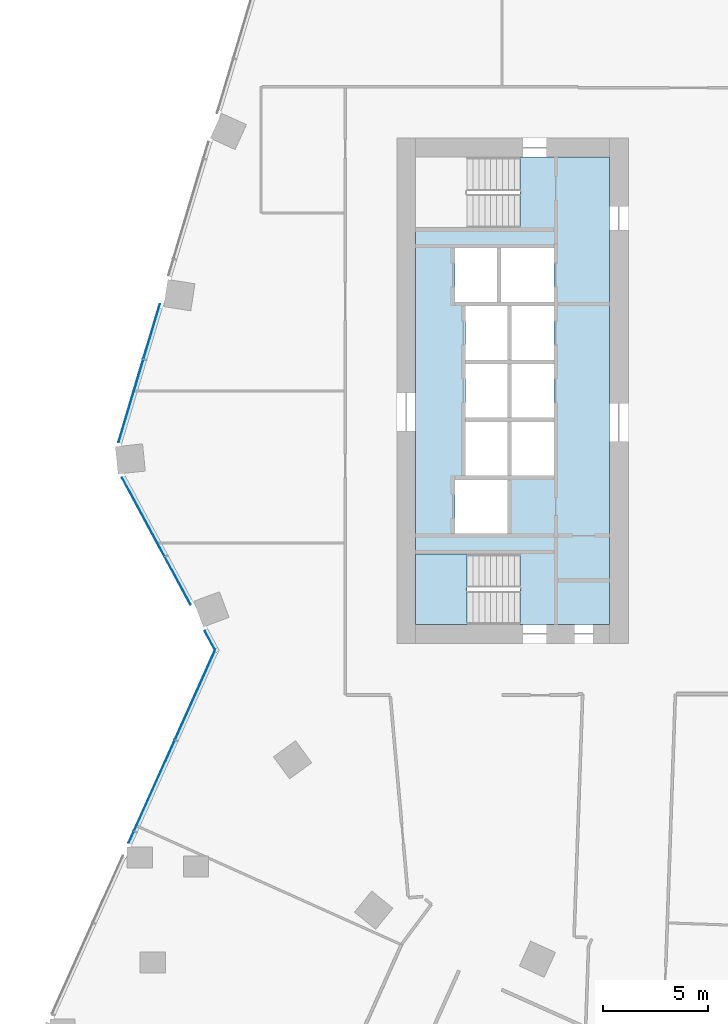
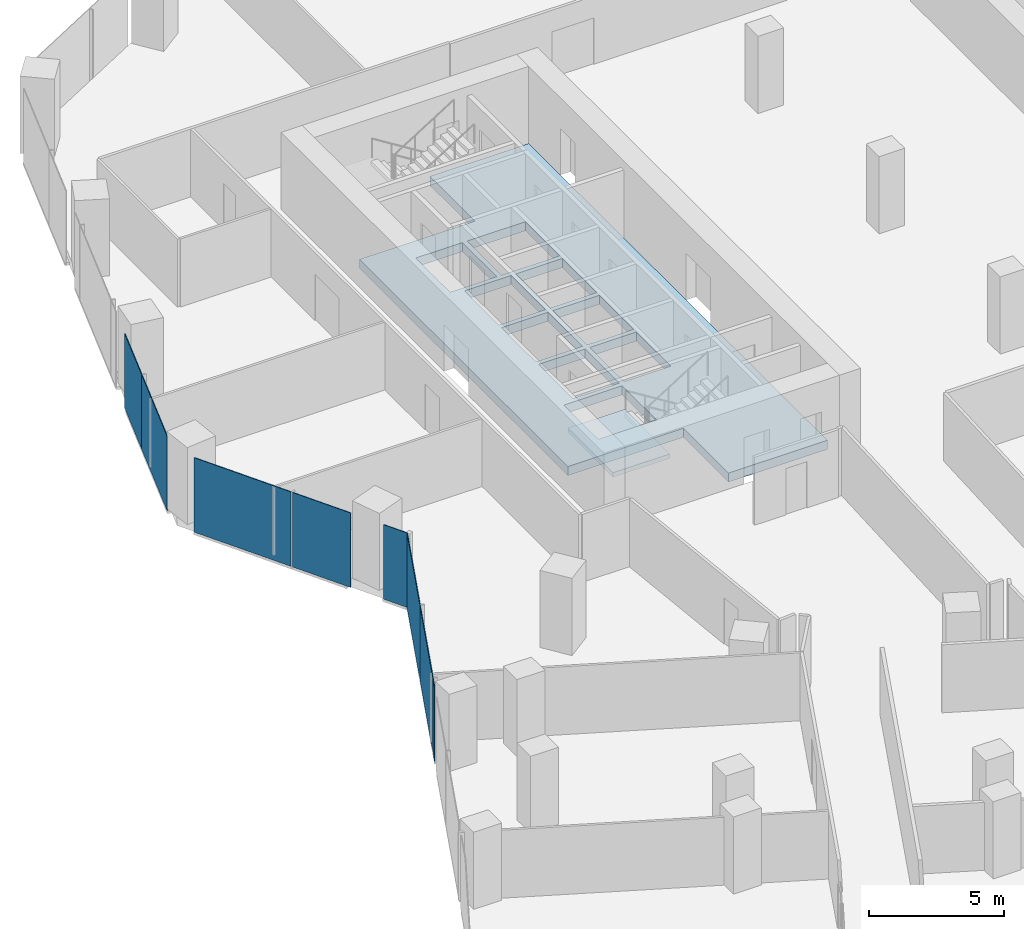
# One storey, part 19 of 34: 8 plates, 2 slabs, 4 elements without a shape of their own.
"""IFC4 building model written with IfcOpenShell, lengths in metres."""

import ifcopenshell
import ifcopenshell.guid

model = None  # the IFC model being written
_history = None  # IfcOwnerHistory: only IFC2X3 demands one
_inside = {}  # id of a spatial element -> (the spatial element, [elements in it])
_under = {}  # id of a project, library or spatial element -> (it, [spatial elements below it])
_declared = {}  # id of a project -> (the project, [libraries it declares])
_typed = {}  # id of a type object -> (the type object, [elements of that type])
_made_of = {}  # id of a material, layer set ... -> (it, [elements and type objects made of it])


def new_model(schema):
    """Start an empty IFC model of exactly this schema.

    Asked for "IFC4X3", IfcOpenShell would pick the latest addendum, in which some entities
    have other attributes; the version numbers below select the first issue.
    IFC2X3 requires an IfcOwnerHistory on every rooted entity: one is made here for all.
    """
    global model, _history
    if schema == "IFC4X3":
        model = ifcopenshell.file(schema_version=(4, 3, 0, 0))
    else:
        model = ifcopenshell.file(schema=schema)
    _inside.clear()
    _under.clear()
    _declared.clear()
    _typed.clear()
    _made_of.clear()
    _history = None
    if model.schema == "IFC2X3":
        org = make("IfcOrganization", Name="unknown")
        user = make(
            "IfcPersonAndOrganization",
            ThePerson=make("IfcPerson", FamilyName="unknown"),
            TheOrganization=org,
        )
        app = make(
            "IfcApplication",
            ApplicationDeveloper=org,
            Version="unknown",
            ApplicationFullName="unknown",
            ApplicationIdentifier="unknown",
        )
        _history = make(
            "IfcOwnerHistory",
            OwningUser=user,
            OwningApplication=app,
            ChangeAction="ADDED",
            CreationDate=0,
        )
    return model


def make(cls, **values):
    """One entity of the class cls with the attributes given. An attribute that is None is left unset."""
    return model.create_entity(
        cls, **{name: value for name, value in values.items() if value is not None}
    )


def rooted(cls, **values):
    """An entity with a GlobalId (a new one), such as an element, a storey or a relation."""
    return make(cls, GlobalId=ifcopenshell.guid.new(), OwnerHistory=_history, **values)


def si_unit(unit_type, name, prefix=None):
    """IfcSIUnit, for example si_unit("LENGTHUNIT", "METRE", prefix="MILLI")."""
    return make("IfcSIUnit", UnitType=unit_type, Prefix=prefix, Name=name)


def assignment(units):
    """IfcUnitAssignment: the units of a project."""
    return None if units is None else make("IfcUnitAssignment", Units=units)


def point(xyz):
    """IfcCartesianPoint."""
    return None if xyz is None else make("IfcCartesianPoint", Coordinates=xyz)


def direction(xyz):
    """IfcDirection."""
    return None if xyz is None else make("IfcDirection", DirectionRatios=xyz)


def frame(location, z_axis=None, x_axis=None):
    """IfcAxis2Placement3D, a coordinate frame: its origin and axes. An axis left out is left unset."""
    return make(
        "IfcAxis2Placement3D",
        Location=point(location),
        Axis=direction(z_axis),
        RefDirection=direction(x_axis),
    )


def frame_2d(location, x_axis=None):
    """IfcAxis2Placement2D, a coordinate frame in the plane: its origin and x axis."""
    return make(
        "IfcAxis2Placement2D", Location=point(location), RefDirection=direction(x_axis)
    )


def origin():
    """The frame at (0, 0, 0) with its axes left unset."""
    return frame((0.0, 0.0, 0.0))


def origin_2d():
    """The frame at (0, 0) in the plane with its x axis left unset."""
    return frame_2d((0.0, 0.0))


def place(relative_to, where):
    """IfcLocalPlacement: puts the frame where relative to a parent placement (None: the world)."""
    return make(
        "IfcLocalPlacement", PlacementRelTo=relative_to, RelativePlacement=where
    )


def context(
    kind, dimensions, precision=None, world=None, true_north=None, identifier=None
):
    """IfcGeometricRepresentationContext, for example the 3D "Model" context."""
    return make(
        "IfcGeometricRepresentationContext",
        ContextIdentifier=identifier,
        ContextType=kind,
        CoordinateSpaceDimension=dimensions,
        Precision=precision,
        WorldCoordinateSystem=world,
        TrueNorth=true_north,
    )


def subcontext(parent, identifier, kind, view, scale=None):
    """IfcGeometricRepresentationSubContext, for example "Body" below "Model"."""
    return make(
        "IfcGeometricRepresentationSubContext",
        ContextIdentifier=identifier,
        ContextType=kind,
        ParentContext=parent,
        TargetScale=scale,
        TargetView=view,
    )


def project(units=None, contexts=None):
    """IfcProject with its units and contexts."""
    return rooted(
        "IfcProject",
        Name="project",
        RepresentationContexts=contexts,
        UnitsInContext=assignment(units),
    )


def spatial(cls, under=None, at=None, **own):
    """A site, building, storey or space (cls), placed at a placement, below another one or the project."""
    s = rooted(cls, ObjectPlacement=at, **own)
    if under is not None:
        _under.setdefault(under.id(), (under, []))[1].append(s)
    return s


def polyline(points):
    """IfcPolyline through the points."""
    return make("IfcPolyline", Points=[point(p) for p in points])


def profile(cls, at=None, kind="AREA", **sizes):
    """A parametric profile (cls). Its sizes go by their IFC names, for example OverallWidth=200.0."""
    return make(cls, ProfileType=kind, Position=at, **sizes)


def rectangle(**sizes):
    """IfcRectangleProfileDef."""
    return profile("IfcRectangleProfileDef", **sizes)


def outline(outer, holes=None, kind="AREA"):
    """IfcArbitraryClosedProfileDef: a profile drawn as a closed curve; with holes, ...WithVoids."""
    if holes is None:
        return make("IfcArbitraryClosedProfileDef", ProfileType=kind, OuterCurve=outer)
    return make(
        "IfcArbitraryProfileDefWithVoids",
        ProfileType=kind,
        OuterCurve=outer,
        InnerCurves=holes,
    )


def extrude(swept, where, along, depth):
    """IfcExtrudedAreaSolid: the profile swept, set in the frame where, extruded along a direction by depth."""
    return make(
        "IfcExtrudedAreaSolid",
        SweptArea=swept,
        Position=where,
        ExtrudedDirection=direction(along),
        Depth=depth,
    )


def shape(context_of_items, identifier, shape_type, items):
    """IfcShapeRepresentation: the items that make up one representation, for example the "Body"."""
    return make(
        "IfcShapeRepresentation",
        ContextOfItems=context_of_items,
        RepresentationIdentifier=identifier,
        RepresentationType=shape_type,
        Items=items,
    )


def material(Name=None, Category=None):
    """IfcMaterial."""
    return make("IfcMaterial", Name=Name, Category=Category)


def layer(
    of_material, thickness, ventilated=None, Name=None, Category=None, Priority=None
):
    """IfcMaterialLayer: one layer of a wall or slab, of a material (None: an air gap)."""
    return make(
        "IfcMaterialLayer",
        Material=of_material,
        LayerThickness=thickness,
        IsVentilated=ventilated,
        Name=Name,
        Category=Category,
        Priority=Priority,
    )


def layer_set(layers, Name=None):
    """IfcMaterialLayerSet."""
    return make("IfcMaterialLayerSet", MaterialLayers=layers, LayerSetName=Name)


def made_of(thing, what):
    """Note that an element or type object is made of a material, layer set ...; save() writes the relation."""
    if what is not None:
        _made_of.setdefault(what.id(), (what, []))[1].append(thing)
    return thing


def type_object(cls, material=None, **own):
    """A type object (cls), such as IfcWallType, which elements share."""
    return made_of(rooted(cls, **own), material)


def element(
    cls,
    number,
    at=None,
    inside=None,
    cuts=None,
    type_object=None,
    material=None,
    context=None,
    identifier="Body",
    shape_type=None,
    held_by="IfcProductDefinitionShape",
    body=None,
    shapes=None,
    **own,
):
    """One element of the class cls, such as IfcWall. Its Tag is "e" and its number.

    at: its placement. inside: the storey or other place that contains it. cuts: it is an
    opening in that element (IfcRelVoidsElement). A single representation is given by context,
    identifier, shape_type and body (its items); several are given by shapes. held_by: the class
    of the entity that holds the representations. save() writes the other relations.
    """
    e = rooted(cls, Tag="e%d" % number, ObjectPlacement=at, **own)
    if body is not None:
        shapes = [shape(context, identifier, shape_type, body)]
    if shapes is not None:
        e.Representation = make(held_by, Representations=shapes)
    if inside is not None:
        _inside.setdefault(inside.id(), (inside, []))[1].append(e)
    if cuts is not None:
        rooted(
            "IfcRelVoidsElement", RelatingBuildingElement=cuts, RelatedOpeningElement=e
        )
    if type_object is not None:
        _typed.setdefault(type_object.id(), (type_object, []))[1].append(e)
    return made_of(e, material)


def aggregate(whole, parts):
    """IfcRelAggregates: a whole, such as a stair, and the parts it consists of."""
    return rooted("IfcRelAggregates", RelatingObject=whole, RelatedObjects=parts)


def save(model, path):
    """Write the relations noted so far, then the file.

    IfcRelAggregates (storeys below a building ...), IfcRelContainedInSpatialStructure (elements
    in a storey), IfcRelDefinesByType, IfcRelAssociatesMaterial and IfcRelDeclares: one each for
    every whole, place, type object, material and project.
    """
    for whole, parts in _under.values():
        aggregate(whole, parts)
    for where, things in _inside.values():
        rooted(
            "IfcRelContainedInSpatialStructure",
            RelatedElements=things,
            RelatingStructure=where,
        )
    for kind, things in _typed.values():
        rooted("IfcRelDefinesByType", RelatedObjects=things, RelatingType=kind)
    for what, things in _made_of.values():
        rooted("IfcRelAssociatesMaterial", RelatedObjects=things, RelatingMaterial=what)
    for by, libraries in _declared.values():
        rooted("IfcRelDeclares", RelatingContext=by, RelatedDefinitions=libraries)
    model.write(path)


model = new_model("IFC4")

# Units and contexts
model_context = context("Model", 3, precision=1e-05, world=origin(), true_north=direction((0.0, 1.0)))
body_context = subcontext(model_context, "Body", "Model", "MODEL_VIEW")
ifc_project = project(units=[si_unit("LENGTHUNIT", "METRE"), si_unit("AREAUNIT", "SQUARE_METRE"), si_unit("VOLUMEUNIT", "CUBIC_METRE"), si_unit("PLANEANGLEUNIT", "RADIAN"), si_unit("MASSUNIT", "GRAM", prefix="KILO")], contexts=[model_context])

# Site, building, storey
site_placement = place(None, origin())
site = spatial("IfcSite", under=ifc_project, at=site_placement, CompositionType="ELEMENT")
building_placement = place(site_placement, origin())
building = spatial("IfcBuilding", under=site, at=building_placement, Name="Orlundy Tower", CompositionType="ELEMENT")
storey_placement = place(building_placement, frame((0.0, 0.0, 130.699951171875)))
storey = spatial("IfcBuildingStorey", under=building, at=storey_placement, Name="L33", CompositionType="ELEMENT", Elevation=130.699951171875)

# Curtain wall, plates
ifc_material_1 = material(Name="Aluminium bronze anodised", Category="aluminium")
curtain_wall_type = type_object("IfcCurtainWallType", Name="CW1 wall", PredefinedType="NOTDEFINED", material=ifc_material_1)
curtain_wall_1_placement = place(storey_placement, origin())
curtain_wall_1 = element("IfcCurtainWall", 1, at=curtain_wall_1_placement, inside=storey, type_object=curtain_wall_type, Name="CW1 run 00", PredefinedType="NOTDEFINED")
ifc_material_2 = material(Name="Tinted glass", Category="glass")
ifc_layer_1 = layer(ifc_material_2, 0.031982421875)
ifc_layer_set_1 = layer_set([ifc_layer_1], Name="CW1 glass panel 32")
plate_type = type_object("IfcPlateType", Name="CW1 glass panel 32", PredefinedType="CURTAIN_PANEL", material=ifc_layer_set_1)
plate_1_placement = place(storey_placement, frame((-31.61572265625, -21.204833984375, -0.27978515625), z_axis=(0.0, 0.0, 1.0), x_axis=(0.409404071174, 0.912353169834, 0.0)))
plate_1 = element("IfcPlate", 2, at=plate_1_placement, type_object=plate_type, Name="CW1 panel", PredefinedType="CURTAIN_PANEL", context=body_context, shape_type="SweptSolid", body=[
    extrude(rectangle(XDim=0.572509765625, YDim=0.031982421875, at=origin_2d()), origin(), (0.0, 0.0, 1.0), 3.3798828125),
])
plate_2_placement = place(storey_placement, frame((-30.514892578125, -18.751708984375, -0.27978515625), z_axis=(0.0, 0.0, 1.0), x_axis=(0.409404071174, 0.912353169834, 0.0)))
plate_2 = element("IfcPlate", 3, at=plate_2_placement, type_object=plate_type, Name="CW1 panel", PredefinedType="CURTAIN_PANEL", context=body_context, shape_type="SweptSolid", body=[
    extrude(rectangle(XDim=4.705322265625, YDim=0.031982421875, at=origin_2d()), origin(), (0.0, 0.0, 1.0), 3.3798828125),
])
plate_3_placement = place(storey_placement, frame((-28.57958984375, -14.438720703125, -0.27978515625), z_axis=(0.0, 0.0, 1.0), x_axis=(0.409404071174, 0.912353169834, 0.0)))
plate_3 = element("IfcPlate", 4, at=plate_3_placement, type_object=plate_type, Name="CW1 panel", PredefinedType="CURTAIN_PANEL", context=body_context, shape_type="SweptSolid", body=[
    extrude(rectangle(XDim=4.6494140625, YDim=0.031982421875, at=origin_2d()), origin(), (0.0, 0.0, 1.0), 3.3798828125),
])
aggregate(curtain_wall_1, [plate_1, plate_2, plate_3])

curtain_wall_2_placement = place(storey_placement, origin())
curtain_wall_2 = element("IfcCurtainWall", 5, at=curtain_wall_2_placement, inside=storey, type_object=curtain_wall_type, Name="CW1 run 01", PredefinedType="NOTDEFINED")
plate_4_placement = place(storey_placement, frame((-27.873779296875, -11.861328125, -0.27978515625), z_axis=(0.0, 0.0, 1.0), x_axis=(-0.4746239814, 0.880188659482, 0.0)))
plate_4 = element("IfcPlate", 6, at=plate_4_placement, type_object=plate_type, Name="CW1 panel", PredefinedType="CURTAIN_PANEL", context=body_context, shape_type="SweptSolid", body=[
    extrude(rectangle(XDim=1.03662109375, YDim=0.031982421875, at=origin_2d()), origin(), (0.0, 0.0, 1.0), 3.3798828125),
])
plate_5_placement = place(storey_placement, frame((-29.40283203125, -9.02587890625, -0.27978515625), z_axis=(0.0, 0.0, 1.0), x_axis=(-0.4746239814, 0.880188659482, 0.0)))
plate_5 = element("IfcPlate", 7, at=plate_5_placement, type_object=plate_type, Name="CW1 panel", PredefinedType="CURTAIN_PANEL", context=body_context, shape_type="SweptSolid", body=[
    extrude(rectangle(XDim=2.54638671875, YDim=0.031982421875, at=origin_2d()), origin(), (0.0, 0.0, 1.0), 3.3798828125),
])
plate_6_placement = place(storey_placement, frame((-31.037353515625, -5.99462890625, -0.27978515625), z_axis=(0.0, 0.0, 1.0), x_axis=(-0.4746239814, 0.880188659482, 0.0)))
plate_6 = element("IfcPlate", 8, at=plate_6_placement, type_object=plate_type, Name="CW1 panel", PredefinedType="CURTAIN_PANEL", context=body_context, shape_type="SweptSolid", body=[
    extrude(rectangle(XDim=4.24169921875, YDim=0.031982421875, at=origin_2d()), origin(), (0.0, 0.0, 1.0), 3.3798828125),
])
aggregate(curtain_wall_2, [plate_4, plate_5, plate_6])

curtain_wall_3_placement = place(storey_placement, origin())
curtain_wall_3 = element("IfcCurtainWall", 9, at=curtain_wall_3_placement, inside=storey, type_object=curtain_wall_type, Name="CW1 run 02", PredefinedType="NOTDEFINED")
plate_7_placement = place(storey_placement, frame((-31.629638671875, -0.47607421875, -0.27978515625), z_axis=(0.0, 0.0, 1.0), x_axis=(0.286816257107, 0.957985612971, 0.0)))
plate_7 = element("IfcPlate", 10, at=plate_7_placement, type_object=plate_type, Name="CW1 panel", PredefinedType="CURTAIN_PANEL", context=body_context, shape_type="SweptSolid", body=[
    extrude(rectangle(XDim=4.09326171875, YDim=0.031982421875, at=origin_2d()), origin(), (0.0, 0.0, 1.0), 3.3798828125),
])
plate_8_placement = place(storey_placement, frame((-30.64208984375, 2.822998046875, -0.27978515625), z_axis=(0.0, 0.0, 1.0), x_axis=(0.286816257107, 0.957985612971, 0.0)))
plate_8 = element("IfcPlate", 11, at=plate_8_placement, type_object=plate_type, Name="CW1 panel", PredefinedType="CURTAIN_PANEL", context=body_context, shape_type="SweptSolid", body=[
    extrude(rectangle(XDim=2.69384765625, YDim=0.031982421875, at=origin_2d()), origin(), (0.0, 0.0, 1.0), 3.3798828125),
])
aggregate(curtain_wall_3, [plate_7, plate_8])

# Slab
ifc_material_3 = material(Name="Concrete C50/60", Category="concrete")
ifc_layer_2 = layer(ifc_material_3, 0.409912109375)
ifc_layer_set_2 = layer_set([ifc_layer_2], Name="Core Floor Slab 410")
slab_type_1 = type_object("IfcSlabType", Name="Core Floor Slab 410", PredefinedType="FLOOR", material=ifc_layer_set_2)
slab_1_placement = place(storey_placement, frame((0.0, 0.0, -0.409912109375)))
element("IfcSlab", 12, at=slab_1_placement, inside=storey, type_object=slab_type_1, Name="Core floor W25", PredefinedType="FLOOR", context=body_context, shape_type="SweptSolid", body=[
    extrude(outline(polyline([(-13.14501953125, 7.75), (-13.14501953125, 11.10009765625), (-8.89990234375, 11.10009765625), (-8.89990234375, -11.10009765625), (-13.14501953125, -11.10009765625), (-13.14501953125, -7.75), (-18.10009765625, -7.75), (-18.10009765625, 7.75), (-13.14501953125, 7.75)]), holes=[polyline([(-16.239990234375, -6.77490234375), (-13.739990234375, -6.77490234375), (-13.739990234375, -4.22509765625), (-16.239990234375, -4.22509765625), (-16.239990234375, -6.77490234375)]), polyline([(-13.5400390625, -1.47509765625), (-13.5400390625, -4.02490234375), (-11.5400390625, -4.02490234375), (-11.5400390625, -1.47509765625), (-13.5400390625, -1.47509765625)]), polyline([(-13.739990234375, -1.47509765625), (-15.739990234375, -1.47509765625), (-15.739990234375, -4.02490234375), (-13.739990234375, -4.02490234375), (-13.739990234375, -1.47509765625)]), polyline([(-11.5400390625, -1.27490234375), (-11.5400390625, 1.27490234375), (-13.5400390625, 1.27490234375), (-13.5400390625, -1.27490234375), (-11.5400390625, -1.27490234375)]), polyline([(-15.739990234375, -1.27490234375), (-13.739990234375, -1.27490234375), (-13.739990234375, 1.27490234375), (-15.739990234375, 1.27490234375), (-15.739990234375, -1.27490234375)]), polyline([(-13.5400390625, 4.02490234375), (-13.5400390625, 1.47509765625), (-11.5400390625, 1.47509765625), (-11.5400390625, 4.02490234375), (-13.5400390625, 4.02490234375)]), polyline([(-13.739990234375, 4.02490234375), (-15.739990234375, 4.02490234375), (-15.739990234375, 1.47509765625), (-13.739990234375, 1.47509765625), (-13.739990234375, 4.02490234375)]), polyline([(-11.5400390625, 4.22509765625), (-11.5400390625, 6.77490234375), (-14.0400390625, 6.77490234375), (-14.0400390625, 4.22509765625), (-11.5400390625, 4.22509765625)]), polyline([(-16.239990234375, 4.22509765625), (-14.239990234375, 4.22509765625), (-14.239990234375, 6.77490234375), (-16.239990234375, 6.77490234375), (-16.239990234375, 4.22509765625)])]), origin(), (0.0, 0.0, 1.0), 0.409912109375),
])

# Stair, slab
ifc_material_4 = material(Name="Concrete C50/60", Category="concrete")
stair_type = type_object("IfcStairType", Name="Exit Stair 20 risers", PredefinedType="HALF_TURN_STAIR", material=ifc_material_4)
stair_placement = place(storey_placement, origin())
stair = element("IfcStair", 13, at=stair_placement, inside=storey, type_object=stair_type, Name="L33 Exit Stair ST-W2", PredefinedType="HALF_TURN_STAIR")
ifc_material_5 = material(Name="Concrete C50/60", Category="concrete")
ifc_layer_3 = layer(ifc_material_5, 0.199951171875)
ifc_layer_set_3 = layer_set([ifc_layer_3], Name="Exit Stair Landing")
slab_type_2 = type_object("IfcSlabType", Name="Exit Stair Landing", PredefinedType="LANDING", material=ifc_layer_set_3)
slab_2_placement = place(storey_placement, frame((0.0, 0.0, 1.550048828125)))
slab_2 = element("IfcSlab", 14, at=slab_2_placement, type_object=slab_type_2, Name="ST-W2 landing 1", PredefinedType="LANDING", context=body_context, shape_type="SweptSolid", body=[
    extrude(outline(polyline([(-15.659912109375, -7.75), (-18.10009765625, -7.75), (-18.10009765625, -11.10009765625), (-15.659912109375, -11.10009765625), (-15.659912109375, -7.75)])), origin(), (0.0, 0.0, 1.0), 0.199951171875),
])
aggregate(stair, [slab_2])

save(model, "model.ifc")
